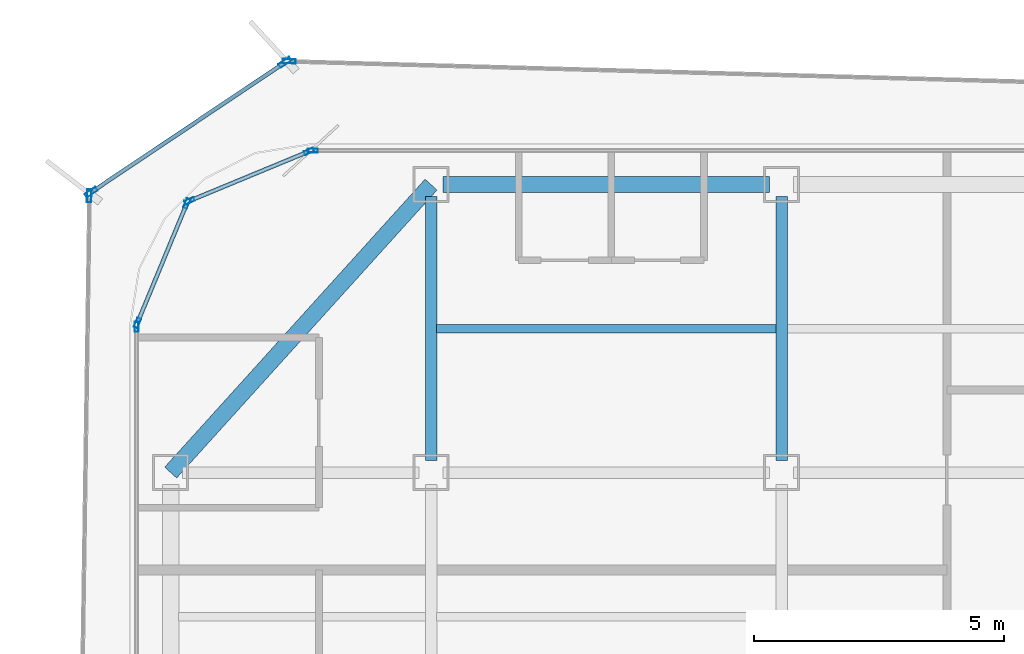
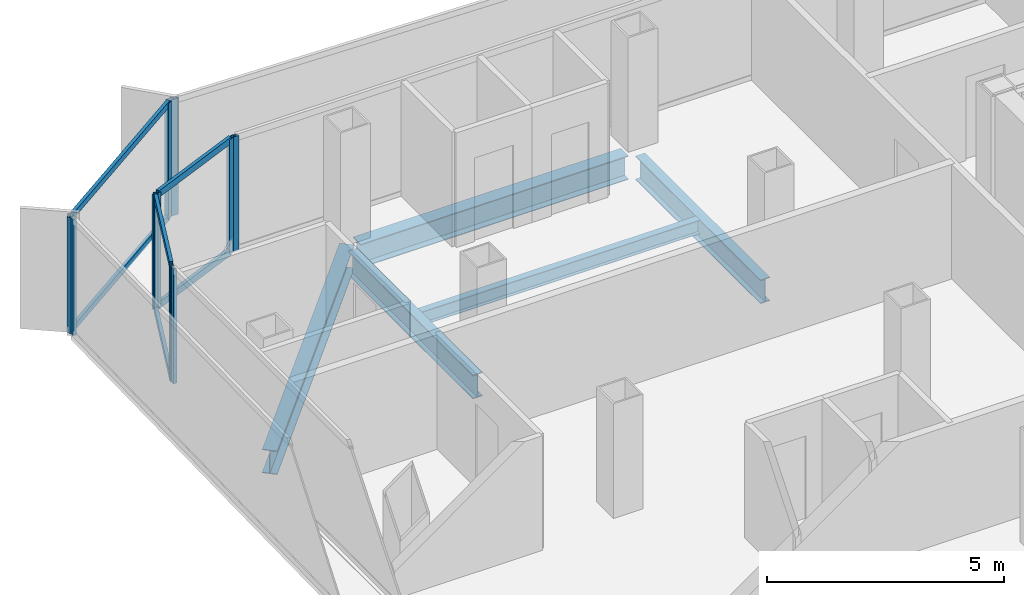
# One storey, part 6 of 16: 16 members, 5 beams, 7 elements without a shape of their own.
"""IFC4 building model written with IfcOpenShell, lengths in metres."""

from ifc_helpers import new_model, si_unit, direction, frame, origin, origin_2d, place, context, subcontext, project, spatial, hollow_rectangle, i_section, extrude, source, transform, mapped, material, layer, layer_set, material_profile, profile_set, type_object, element, aggregate, save


model = new_model("IFC4")

# Units and contexts
model_context = context("Model", 3, precision=1e-05, world=origin(), true_north=direction((0.0, 1.0)))
body_context = subcontext(model_context, "Body", "Model", "MODEL_VIEW")
ifc_project = project(units=[si_unit("LENGTHUNIT", "METRE"), si_unit("AREAUNIT", "SQUARE_METRE"), si_unit("VOLUMEUNIT", "CUBIC_METRE"), si_unit("PLANEANGLEUNIT", "RADIAN"), si_unit("MASSUNIT", "GRAM", prefix="KILO")], contexts=[model_context])

# Site, building, storey
site_placement = place(None, origin())
site = spatial("IfcSite", under=ifc_project, at=site_placement, CompositionType="ELEMENT")
building_placement = place(site_placement, origin())
building = spatial("IfcBuilding", under=site, at=building_placement, Name="Kolveth Station Tower", CompositionType="ELEMENT")
storey_placement = place(building_placement, frame((0.0, 0.0, 159.300048828125)))
storey = spatial("IfcBuildingStorey", under=building, at=storey_placement, Name="L44", CompositionType="ELEMENT", Elevation=159.300048828125)

# Beams
ifc_material_1 = material(Name="Steel S355", Category="steel")
ifc_material_profile_1 = material_profile(ifc_material_1, i_section(OverallWidth=0.323974609375, OverallDepth=0.611083984375, WebThickness=0.0126953125, FlangeThickness=0.01904296875, at=origin_2d()), Name="W610x155")
ifc_profile_set_1 = profile_set([ifc_material_profile_1], Name="Steel S355")
beam_type_1 = type_object("IfcBeamType", Name="Beam_SP2", PredefinedType="SPANDREL", material=ifc_profile_set_1)
shared_shape_1 = source(origin(), body_context, "Body", "SweptSolid", [
    extrude(i_section(OverallWidth=0.323974609375, OverallDepth=0.611083984375, WebThickness=0.0126953125, FlangeThickness=0.01904296875, at=origin_2d()), origin(), (0.0, 0.0, 1.0), 7.75244140625),
])
beam_1_placement = place(storey_placement, frame((6.0, 34.5, -0.5556640625), z_axis=(-0.670740965555, -0.74169168603, 0.0), x_axis=(0.74169168603, -0.670740965555, 0.0)))
element("IfcBeam", 1, at=beam_1_placement, inside=storey, type_object=beam_type_1, Name="L44 Corner Edge Girder BM-L44-CNR-NW", PredefinedType="SPANDREL", context=body_context, shape_type="MappedRepresentation", body=[
    mapped(shared_shape_1, transform((0.0, 0.0, 0.0), x_axis=(1.0, 0.0, 0.0), y_axis=(0.0, 1.0, 0.0), z_axis=(0.0, 0.0, 1.0), scale=1.0)),
])
shared_shape_2 = source(origin(), body_context, "Body", "SweptSolid", [
    extrude(i_section(OverallWidth=0.323974609375, OverallDepth=0.611083984375, WebThickness=0.0126953125, FlangeThickness=0.01904296875, at=origin_2d()), origin(), (0.0, 0.0, 1.0), 6.52001953125),
])
beam_2_placement = place(storey_placement, frame((6.239990234375, 34.5, -0.5556640625), z_axis=(1.0, 0.0, 0.0), x_axis=(0.0, 1.0, 0.0)))
element("IfcBeam", 2, at=beam_2_placement, inside=storey, type_object=beam_type_1, Name="L44 Perimeter Spandrel BM-L44-PN-1", PredefinedType="SPANDREL", context=body_context, shape_type="MappedRepresentation", body=[
    mapped(shared_shape_2, transform((0.0, 0.0, 0.0), x_axis=(1.0, 0.0, 0.0), y_axis=(0.0, 1.0, 0.0), z_axis=(0.0, 0.0, 1.0), scale=1.0)),
])
ifc_material_profile_2 = material_profile(ifc_material_1, i_section(OverallWidth=0.22900390625, OverallDepth=0.612060546875, WebThickness=0.011962890625, FlangeThickness=0.01953125, at=origin_2d()), Name="W610x125")
ifc_profile_set_2 = profile_set([ifc_material_profile_2], Name="Steel S355")
beam_type_2 = type_object("IfcBeamType", Name="Beam_B5", PredefinedType="BEAM", material=ifc_profile_set_2)
shared_shape_3 = source(origin(), body_context, "Body", "SweptSolid", [
    extrude(i_section(OverallWidth=0.22900390625, OverallDepth=0.612060546875, WebThickness=0.011962890625, FlangeThickness=0.01953125, at=origin_2d()), origin(), (0.0, 0.0, 1.0), 5.27001953125),
])
for number, where, z_axis, x_axis, name in (
    (3, (6.0, 28.989990234375, -0.55615234375), (0.0, 1.0, 0.0), (-1.0, 0.0, 0.0), "L44 Primary Girder BM-L44-GX60-6"),
    (4, (13.0, 28.989990234375, -0.55615234375), (0.0, 1.0, 0.0), (-1.0, 0.0, 0.0), "L44 Primary Girder BM-L44-GX130-6"),
):
    element("IfcBeam", number, at=place(storey_placement, frame(where, z_axis=z_axis, x_axis=x_axis)), inside=storey, type_object=beam_type_2, Name=name, PredefinedType="BEAM", context=body_context, shape_type="MappedRepresentation", body=[
        mapped(shared_shape_3, transform((0.0, 0.0, 0.0), x_axis=(1.0, 0.0, 0.0), y_axis=(0.0, 1.0, 0.0), z_axis=(0.0, 0.0, 1.0), scale=1.0)),
    ])
ifc_material_profile_3 = material_profile(ifc_material_1, i_section(OverallWidth=0.1708984375, OverallDepth=0.35205078125, WebThickness=0.0068359375, FlangeThickness=0.009765625, at=origin_2d()), Name="W360x44")
ifc_profile_set_3 = profile_set([ifc_material_profile_3], Name="Steel S355")
beam_type_3 = type_object("IfcBeamType", Name="Beam_J2", PredefinedType="JOIST", material=ifc_profile_set_3)
shared_shape_4 = source(origin(), body_context, "Body", "SweptSolid", [
    extrude(i_section(OverallWidth=0.1708984375, OverallDepth=0.35205078125, WebThickness=0.0068359375, FlangeThickness=0.009765625, at=origin_2d()), origin(), (0.0, 0.0, 1.0), 6.77490234375),
])
beam_3_placement = place(storey_placement, frame((6.112548828125, 31.625, -0.426025390625), z_axis=(1.0, 0.0, 0.0), x_axis=(0.0, 1.0, 0.0)))
element("IfcBeam", 5, at=beam_3_placement, inside=storey, type_object=beam_type_3, Name="L44 Secondary Joist JST-L44-2-6", PredefinedType="JOIST", context=body_context, shape_type="MappedRepresentation", body=[
    mapped(shared_shape_4, transform((0.0, 0.0, 0.0), x_axis=(1.0, 0.0, 0.0), y_axis=(0.0, 1.0, 0.0), z_axis=(0.0, 0.0, 1.0), scale=1.0)),
])

# Curtain wall, member
ifc_material_2 = material(Name="Aluminium 6063-T6 and low-E dark glass", Category="aluminium")
ifc_layer_1 = layer(ifc_material_2, 0.18994140625)
ifc_layer_set_1 = layer_set([ifc_layer_1], Name="Aluminium 6063-T6 and low-E dark glass")
curtain_wall_type_1 = type_object("IfcCurtainWallType", Name="CurtainWall_CW-Z2", PredefinedType="NOTDEFINED", material=ifc_layer_set_1)
curtain_wall_1_placement = place(storey_placement, origin())
curtain_wall_1 = element("IfcCurtainWall", 6, at=curtain_wall_1_placement, inside=storey, type_object=curtain_wall_type_1, Name="L44 Inner Thermal Curtain Wall 6", PredefinedType="NOTDEFINED")
ifc_material_3 = material(Name="Black anodized aluminium 6063-T6", Category="aluminium")
ifc_material_profile_4 = material_profile(ifc_material_3, hollow_rectangle(XDim=0.080078125, YDim=0.199951171875, WallThickness=0.0048828125, at=origin_2d()), Name="ALU-80x200x5")
ifc_profile_set_4 = profile_set([ifc_material_profile_4], Name="Black anodized aluminium 6063-T6")
member_type_1 = type_object("IfcMemberType", Name="Mullion_ML2", PredefinedType="MULLION", material=ifc_profile_set_4)
shared_shape_5 = source(origin(), body_context, "Body", "SweptSolid", [
    extrude(hollow_rectangle(XDim=0.080078125, YDim=0.199951171875, WallThickness=0.0048828125, at=origin_2d()), origin(), (0.0, 0.0, 1.0), 2.949951171875),
])
member_1_placement = place(storey_placement, frame((3.639892578125, 35.179931640625, 0.0), z_axis=(0.0, 0.0, 1.0), x_axis=(0.0, -1.0, 0.0)))
member_1 = element("IfcMember", 7, at=member_1_placement, type_object=member_type_1, Name="CW-Z2 mullion 2", PredefinedType="MULLION", context=body_context, shape_type="MappedRepresentation", body=[
    mapped(shared_shape_5, transform((0.0, 0.0, 0.0), x_axis=(1.0, 0.0, 0.0), y_axis=(0.0, 1.0, 0.0), z_axis=(0.0, 0.0, 1.0), scale=1.0)),
])
aggregate(curtain_wall_1, [member_1])

# Curtain wall, members
curtain_wall_2_placement = place(storey_placement, origin())
curtain_wall_2 = element("IfcCurtainWall", 8, at=curtain_wall_2_placement, inside=storey, type_object=curtain_wall_type_1, Name="L44 Inner Thermal Curtain Wall 7", PredefinedType="NOTDEFINED")
member_2_placement = place(storey_placement, frame((3.56298828125, 35.164794921875, 0.0), z_axis=(0.0, 0.0, 1.0), x_axis=(0.382697753087, -0.923873600544, 0.0)))
member_2 = element("IfcMember", 9, at=member_2_placement, type_object=member_type_1, Name="CW-Z2 mullion 1", PredefinedType="MULLION", context=body_context, shape_type="MappedRepresentation", body=[
    mapped(shared_shape_5, transform((0.0, 0.0, 0.0), x_axis=(1.0, 0.0, 0.0), y_axis=(0.0, 1.0, 0.0), z_axis=(0.0, 0.0, 1.0), scale=1.0)),
])
member_3_placement = place(storey_placement, frame((1.17626953125, 34.176025390625, 0.0), z_axis=(0.0, 0.0, 1.0), x_axis=(0.382697753087, -0.923873600544, 0.0)))
member_3 = element("IfcMember", 10, at=member_3_placement, type_object=member_type_1, Name="CW-Z2 mullion 2", PredefinedType="MULLION", context=body_context, shape_type="MappedRepresentation", body=[
    mapped(shared_shape_5, transform((0.0, 0.0, 0.0), x_axis=(1.0, 0.0, 0.0), y_axis=(0.0, 1.0, 0.0), z_axis=(0.0, 0.0, 1.0), scale=1.0)),
])

curtain_wall_3_placement = place(storey_placement, origin())
curtain_wall_3 = element("IfcCurtainWall", 11, at=curtain_wall_3_placement, inside=storey, type_object=curtain_wall_type_1, Name="L44 Inner Thermal Curtain Wall 8", PredefinedType="NOTDEFINED")
member_4_placement = place(storey_placement, frame((1.1240234375, 34.123779296875, 0.0), z_axis=(0.0, 0.0, 1.0), x_axis=(0.923873600544, -0.382697753087, 0.0)))
member_4 = element("IfcMember", 12, at=member_4_placement, type_object=member_type_1, Name="CW-Z2 mullion 1", PredefinedType="MULLION", context=body_context, shape_type="MappedRepresentation", body=[
    mapped(shared_shape_5, transform((0.0, 0.0, 0.0), x_axis=(1.0, 0.0, 0.0), y_axis=(0.0, 1.0, 0.0), z_axis=(0.0, 0.0, 1.0), scale=1.0)),
])
member_5_placement = place(storey_placement, frame((0.13525390625, 31.737060546875, 0.0), z_axis=(0.0, 0.0, 1.0), x_axis=(0.923873600544, -0.382697753087, 0.0)))
member_5 = element("IfcMember", 13, at=member_5_placement, type_object=member_type_1, Name="CW-Z2 mullion 2", PredefinedType="MULLION", context=body_context, shape_type="MappedRepresentation", body=[
    mapped(shared_shape_5, transform((0.0, 0.0, 0.0), x_axis=(1.0, 0.0, 0.0), y_axis=(0.0, 1.0, 0.0), z_axis=(0.0, 0.0, 1.0), scale=1.0)),
])

# Curtain wall, member
curtain_wall_4_placement = place(storey_placement, origin())
curtain_wall_4 = element("IfcCurtainWall", 14, at=curtain_wall_4_placement, inside=storey, type_object=curtain_wall_type_1, Name="L44 Inner Thermal Curtain Wall 9", PredefinedType="NOTDEFINED")
member_6_placement = place(storey_placement, frame((0.1201171875, 31.659912109375, 0.0), z_axis=(0.0, 0.0, 1.0), x_axis=(1.0, 0.0, 0.0)))
member_6 = element("IfcMember", 15, at=member_6_placement, type_object=member_type_1, Name="CW-Z2 mullion 1", PredefinedType="MULLION", context=body_context, shape_type="MappedRepresentation", body=[
    mapped(shared_shape_5, transform((0.0, 0.0, 0.0), x_axis=(1.0, 0.0, 0.0), y_axis=(0.0, 1.0, 0.0), z_axis=(0.0, 0.0, 1.0), scale=1.0)),
])
aggregate(curtain_wall_4, [member_6])

ifc_material_4 = material(Name="Black anodized aluminium 6063-T6 and dark solar glass", Category="aluminium")
ifc_layer_2 = layer(ifc_material_4, 0.159912109375)
ifc_layer_set_2 = layer_set([ifc_layer_2], Name="Black anodized aluminium 6063-T6 and dark solar glass")
curtain_wall_type_2 = type_object("IfcCurtainWallType", Name="OUTER SKIN CW-OS", PredefinedType="NOTDEFINED", material=ifc_layer_set_2)
curtain_wall_5_placement = place(storey_placement, origin())
curtain_wall_5 = element("IfcCurtainWall", 16, at=curtain_wall_5_placement, inside=storey, type_object=curtain_wall_type_2, Name="L44 Outer Ventilated Skin Curtain Wall 4", PredefinedType="NOTDEFINED")
ifc_material_profile_5 = material_profile(ifc_material_3, hollow_rectangle(XDim=0.090087890625, YDim=0.260009765625, WallThickness=0.0048828125, at=origin_2d()), Name="ALU-90x260x5")
ifc_profile_set_5 = profile_set([ifc_material_profile_5], Name="Black anodized aluminium 6063-T6")
member_type_2 = type_object("IfcMemberType", Name="FIN MULLION ML-OS", PredefinedType="MULLION", material=ifc_profile_set_5)
shared_shape_6 = source(origin(), body_context, "Body", "SweptSolid", [
    extrude(hollow_rectangle(XDim=0.090087890625, YDim=0.260009765625, WallThickness=0.0048828125, at=origin_2d()), origin(), (0.0, 0.0, 1.0), 2.989990234375),
])
member_7_placement = place(storey_placement, frame((3.164306640625, 36.96484375, 0.0), z_axis=(0.0, 0.0, 1.0), x_axis=(-0.027568896541, -0.999619905736, 0.0)))
member_7 = element("IfcMember", 17, at=member_7_placement, type_object=member_type_2, Name="CW-OS mullion 2", PredefinedType="MULLION", context=body_context, shape_type="MappedRepresentation", body=[
    mapped(shared_shape_6, transform((0.0, 0.0, 0.0), x_axis=(1.0, 0.0, 0.0), y_axis=(0.0, 1.0, 0.0), z_axis=(0.0, 0.0, 1.0), scale=1.0)),
])
aggregate(curtain_wall_5, [member_7])

# Curtain wall, members
curtain_wall_6_placement = place(storey_placement, origin())
curtain_wall_6 = element("IfcCurtainWall", 18, at=curtain_wall_6_placement, inside=storey, type_object=curtain_wall_type_2, Name="L44 Outer Ventilated Skin Curtain Wall 5", PredefinedType="NOTDEFINED")
member_8_placement = place(storey_placement, frame((3.08203125, 36.941162109375, 0.0), z_axis=(0.0, 0.0, 1.0), x_axis=(0.556759198068, -0.830673940465, 0.0)))
member_8 = element("IfcMember", 19, at=member_8_placement, type_object=member_type_2, Name="CW-OS mullion 1", PredefinedType="MULLION", context=body_context, shape_type="MappedRepresentation", body=[
    mapped(shared_shape_6, transform((0.0, 0.0, 0.0), x_axis=(1.0, 0.0, 0.0), y_axis=(0.0, 1.0, 0.0), z_axis=(0.0, 0.0, 1.0), scale=1.0)),
])
member_9_placement = place(storey_placement, frame((-0.787353515625, 34.34765625, 0.0), z_axis=(0.0, 0.0, 1.0), x_axis=(0.556759198068, -0.830673940465, 0.0)))
member_9 = element("IfcMember", 20, at=member_9_placement, type_object=member_type_2, Name="CW-OS mullion 2", PredefinedType="MULLION", context=body_context, shape_type="MappedRepresentation", body=[
    mapped(shared_shape_6, transform((0.0, 0.0, 0.0), x_axis=(1.0, 0.0, 0.0), y_axis=(0.0, 1.0, 0.0), z_axis=(0.0, 0.0, 1.0), scale=1.0)),
])

# Curtain wall, member
curtain_wall_7_placement = place(storey_placement, origin())
curtain_wall_7 = element("IfcCurtainWall", 21, at=curtain_wall_7_placement, inside=storey, type_object=curtain_wall_type_2, Name="L44 Outer Ventilated Skin Curtain Wall 6", PredefinedType="NOTDEFINED")
member_10_placement = place(storey_placement, frame((-0.825439453125, 34.277587890625, 0.0), z_axis=(0.0, 0.0, 1.0), x_axis=(0.999891678009, -0.014718432254, 0.0)))
member_10 = element("IfcMember", 22, at=member_10_placement, type_object=member_type_2, Name="CW-OS mullion 1", PredefinedType="MULLION", context=body_context, shape_type="MappedRepresentation", body=[
    mapped(shared_shape_6, transform((0.0, 0.0, 0.0), x_axis=(1.0, 0.0, 0.0), y_axis=(0.0, 1.0, 0.0), z_axis=(0.0, 0.0, 1.0), scale=1.0)),
])
aggregate(curtain_wall_7, [member_10])

# Member
ifc_material_profile_6 = material_profile(ifc_material_3, hollow_rectangle(XDim=0.080078125, YDim=0.169921875, WallThickness=0.0048828125, at=origin_2d()), Name="ALU-80x170x5")
ifc_profile_set_6 = profile_set([ifc_material_profile_6], Name="Black anodized aluminium 6063-T6")
member_type_3 = type_object("IfcMemberType", Name="Transom_TR2", PredefinedType="USERDEFINED", material=ifc_profile_set_6)
shared_shape_7 = source(origin(), body_context, "Body", "SweptSolid", [
    extrude(hollow_rectangle(XDim=0.080078125, YDim=0.169921875, WallThickness=0.0048828125, at=origin_2d()), origin(), (0.0, 0.0, 1.0), 2.50341796875),
])
member_11_placement = place(storey_placement, frame((3.526123046875, 35.1494140625, 0.0400390625), z_axis=(-0.923888472039, -0.382661849723, 0.0), x_axis=(0.382661849723, -0.923888472039, 0.0)))
member_11 = element("IfcMember", 23, at=member_11_placement, type_object=member_type_3, Name="CW-Z2 transom 1.1", ObjectType="TRANSOM", PredefinedType="USERDEFINED", context=body_context, shape_type="MappedRepresentation", body=[
    mapped(shared_shape_7, transform((0.0, 0.0, 0.0), x_axis=(1.0, 0.0, 0.0), y_axis=(0.0, 1.0, 0.0), z_axis=(0.0, 0.0, 1.0), scale=1.0)),
])

member_12_placement = place(storey_placement, frame((3.526123046875, 35.1494140625, 2.909912109375), z_axis=(-0.923888472039, -0.382661849723, 0.0), x_axis=(0.382661849723, -0.923888472039, 0.0)))
member_12 = element("IfcMember", 24, at=member_12_placement, type_object=member_type_3, Name="CW-Z2 transom 1.2", ObjectType="TRANSOM", PredefinedType="USERDEFINED", context=body_context, shape_type="MappedRepresentation", body=[
    mapped(shared_shape_7, transform((0.0, 0.0, 0.0), x_axis=(1.0, 0.0, 0.0), y_axis=(0.0, 1.0, 0.0), z_axis=(0.0, 0.0, 1.0), scale=1.0)),
])

aggregate(curtain_wall_2, [member_2, member_3, member_11, member_12])

member_13_placement = place(storey_placement, frame((1.108642578125, 34.086669921875, 0.0400390625), z_axis=(-0.382696328882, -0.923874190494, 0.0), x_axis=(0.923874190494, -0.382696328882, 0.0)))
member_13 = element("IfcMember", 25, at=member_13_placement, type_object=member_type_3, Name="CW-Z2 transom 1.1", ObjectType="TRANSOM", PredefinedType="USERDEFINED", context=body_context, shape_type="MappedRepresentation", body=[
    mapped(shared_shape_7, transform((0.0, 0.0, 0.0), x_axis=(1.0, 0.0, 0.0), y_axis=(0.0, 1.0, 0.0), z_axis=(0.0, 0.0, 1.0), scale=1.0)),
])

member_14_placement = place(storey_placement, frame((1.108642578125, 34.086669921875, 2.909912109375), z_axis=(-0.382696328882, -0.923874190494, 0.0), x_axis=(0.923874190494, -0.382696328882, 0.0)))
member_14 = element("IfcMember", 26, at=member_14_placement, type_object=member_type_3, Name="CW-Z2 transom 1.2", ObjectType="TRANSOM", PredefinedType="USERDEFINED", context=body_context, shape_type="MappedRepresentation", body=[
    mapped(shared_shape_7, transform((0.0, 0.0, 0.0), x_axis=(1.0, 0.0, 0.0), y_axis=(0.0, 1.0, 0.0), z_axis=(0.0, 0.0, 1.0), scale=1.0)),
])

aggregate(curtain_wall_3, [member_4, member_5, member_13, member_14])

ifc_material_profile_7 = material_profile(ifc_material_3, hollow_rectangle(XDim=0.080078125, YDim=0.14990234375, WallThickness=0.0048828125, at=origin_2d()), Name="ALU-80x150x5")
ifc_profile_set_7 = profile_set([ifc_material_profile_7], Name="Black anodized aluminium 6063-T6")
member_type_4 = type_object("IfcMemberType", Name="Transom_TR-OS", PredefinedType="USERDEFINED", material=ifc_profile_set_7)
shared_shape_8 = source(origin(), body_context, "Body", "SweptSolid", [
    extrude(hollow_rectangle(XDim=0.080078125, YDim=0.14990234375, WallThickness=0.0048828125, at=origin_2d()), origin(), (0.0, 0.0, 1.0), 4.568115234375),
])
member_15_placement = place(storey_placement, frame((3.044677734375, 36.916015625, 0.0400390625), z_axis=(-0.830666415475, -0.556770425042, 0.0), x_axis=(0.556770425042, -0.830666415475, 0.0)))
member_15 = element("IfcMember", 27, at=member_15_placement, type_object=member_type_4, Name="CW-OS transom 1.1", ObjectType="TRANSOM", PredefinedType="USERDEFINED", context=body_context, shape_type="MappedRepresentation", body=[
    mapped(shared_shape_8, transform((0.0, 0.0, 0.0), x_axis=(1.0, 0.0, 0.0), y_axis=(0.0, 1.0, 0.0), z_axis=(0.0, 0.0, 1.0), scale=1.0)),
])

member_16_placement = place(storey_placement, frame((3.044677734375, 36.916015625, 2.949951171875), z_axis=(-0.830666415475, -0.556770425042, 0.0), x_axis=(0.556770425042, -0.830666415475, 0.0)))
member_16 = element("IfcMember", 28, at=member_16_placement, type_object=member_type_4, Name="CW-OS transom 1.2", ObjectType="TRANSOM", PredefinedType="USERDEFINED", context=body_context, shape_type="MappedRepresentation", body=[
    mapped(shared_shape_8, transform((0.0, 0.0, 0.0), x_axis=(1.0, 0.0, 0.0), y_axis=(0.0, 1.0, 0.0), z_axis=(0.0, 0.0, 1.0), scale=1.0)),
])

aggregate(curtain_wall_6, [member_8, member_9, member_15, member_16])

save(model, "model.ifc")
